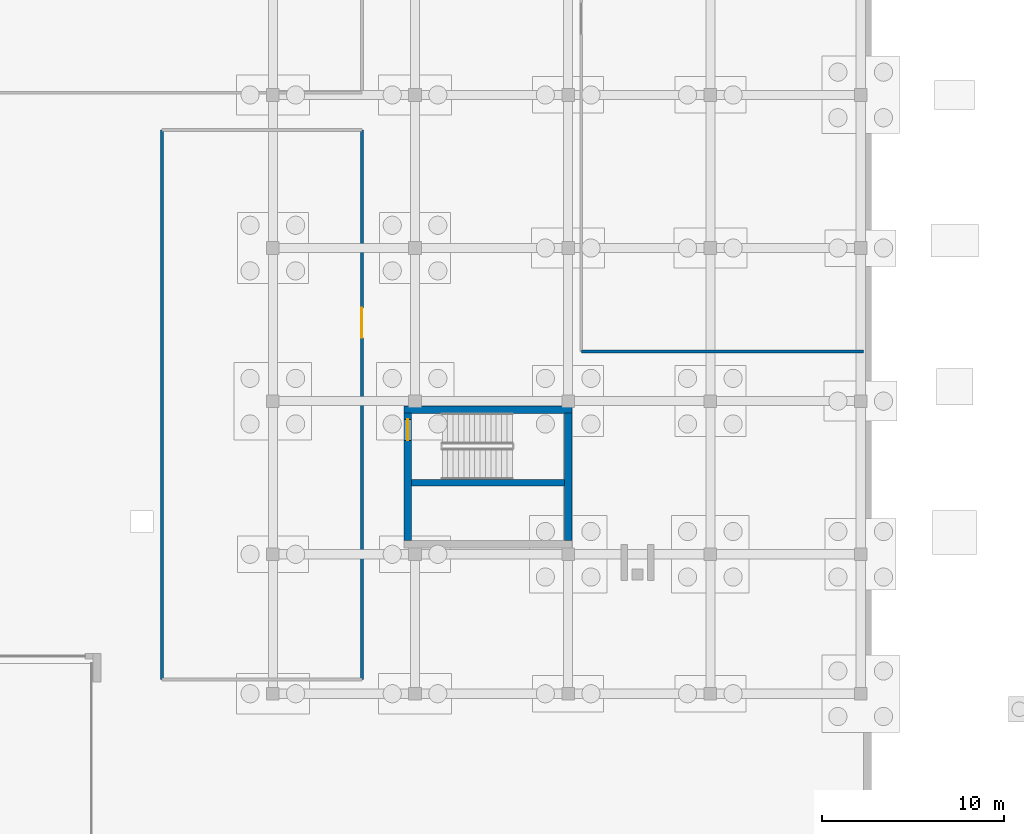
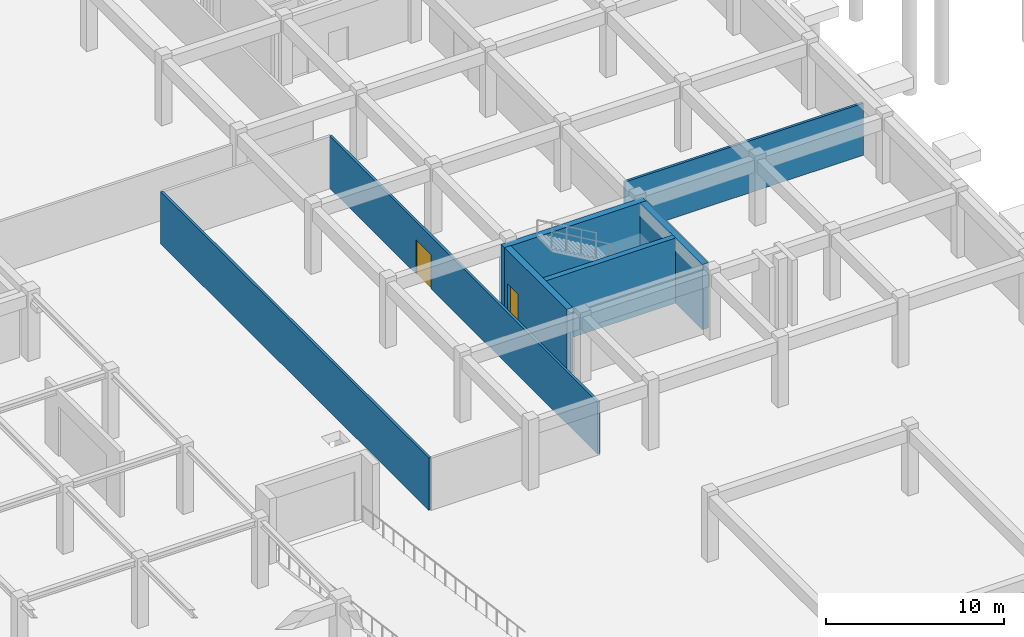
# One storey, part 19 of 35: 7 walls, 2 doors, 2 openings.
"""IFC4 building model written with IfcOpenShell, lengths in metres."""

from ifc_helpers import new_model, si_unit, direction, frame, frame_2d, origin, place, context, subcontext, project, spatial, rectangle, extrude, material, layer, layer_set, type_object, element, fill, save


model = new_model("IFC4")

# Units and contexts
model_context = context("Model", 3, precision=1e-05, world=origin(), true_north=direction((0.0, 1.0)))
body_context = subcontext(model_context, "Body", "Model", "MODEL_VIEW")
ifc_project = project(units=[si_unit("LENGTHUNIT", "METRE"), si_unit("AREAUNIT", "SQUARE_METRE"), si_unit("VOLUMEUNIT", "CUBIC_METRE"), si_unit("PLANEANGLEUNIT", "RADIAN"), si_unit("MASSUNIT", "GRAM", prefix="KILO")], contexts=[model_context])

# Site, building, storey
site_placement = place(None, origin())
site = spatial("IfcSite", under=ifc_project, at=site_placement, CompositionType="ELEMENT")
building_placement = place(site_placement, origin())
building = spatial("IfcBuilding", under=site, at=building_placement, Name="Zayran Congress Hotel", CompositionType="ELEMENT")
storey_placement = place(building_placement, frame((0.0, 0.0, -4.800048828125)))
storey = spatial("IfcBuildingStorey", under=building, at=storey_placement, Name="B1", CompositionType="ELEMENT", Elevation=-4.800048828125)

# Wall
ifc_material_1 = material(Name="Concrete C40/50", Category="concrete")
ifc_layer_1 = layer(ifc_material_1, 0.39990234375)
ifc_layer_set_1 = layer_set([ifc_layer_1], Name="Concrete C40/50")
wall_type_1 = type_object("IfcWallType", Name="WL-SH-400", PredefinedType="SHEAR", material=ifc_layer_set_1)
wall_1_placement = place(storey_placement, frame((126.199951171875, 58.735107421875, 0.0), z_axis=(0.0, 0.0, 1.0), x_axis=(-1.0, 0.0, 0.0)))
element("IfcWall", 1, at=wall_1_placement, inside=storey, type_object=wall_type_1, Name="CWALL-C-V4S-B1-N", PredefinedType="SHEAR", context=body_context, shape_type="SweptSolid", body=[
    extrude(rectangle(XDim=9.199951171875, YDim=0.39990234375, at=frame_2d((4.60009765625, 0.0))), origin(), (0.0, 0.0, 1.0), 4.47998046875),
])

# Wall, opening, door
wall_2_placement = place(storey_placement, frame((117.199951171875, 58.550048828125, 0.0), z_axis=(0.0, 0.0, 1.0), x_axis=(0.0, -1.0, 0.0)))
wall_2 = element("IfcWall", 2, at=wall_2_placement, inside=storey, type_object=wall_type_1, Name="CWALL-C-V4S-B1-W", PredefinedType="SHEAR", context=body_context, shape_type="SweptSolid", body=[
    extrude(rectangle(XDim=7.0, YDim=0.39990234375, at=frame_2d((3.5, 0.0))), origin(), (0.0, 0.0, 1.0), 4.47998046875),
])
opening_1_placement = place(wall_2_placement, frame((0.35009765625, 0.0, 0.0)))
opening_1 = element("IfcOpeningElement", 3, at=opening_1_placement, cuts=wall_2, Name="Opening DR-FD-90", PredefinedType="OPENING", context=body_context, shape_type="SweptSolid", body=[
    extrude(rectangle(XDim=1.14990234375, YDim=2.199951171875, at=frame_2d((0.574951171875, 1.10009765625))), frame((0.0, 0.2099609375, 0.0), z_axis=(0.0, -1.0, 0.0), x_axis=(1.0, 0.0, 0.0)), (0.0, 0.0, 1.0), 0.419921875),
])
ifc_material_2 = material(Name="Painted steel fire door assembly", Category="steel")
door_type_1 = type_object("IfcDoorType", Name="TP-DR-FD-90", OperationType="NOTDEFINED", PredefinedType="DOOR", material=ifc_material_2)
door_1_placement = place(opening_1_placement, origin())
door_1 = element("IfcDoor", 4, at=door_1_placement, inside=storey, type_object=door_type_1, Name="ST-08 Exit Stair Door B1", OperationType="SINGLE_SWING_RIGHT", OverallHeight=2.199951171875, OverallWidth=1.14990234375, PredefinedType="DOOR", context=body_context, shape_type="SweptSolid", body=[
    extrude(rectangle(XDim=1.14990234375, YDim=2.199951171875, at=frame_2d((0.574951171875, 1.10009765625))), frame((0.0, 0.02490234375, 0.0), z_axis=(0.0, -1.0, 0.0), x_axis=(1.0, 0.0, 0.0)), (0.0, 0.0, 1.0), 0.050048828125),
])
fill(opening_1, door_1)

# Walls
wall_3_placement = place(storey_placement, frame((126.0, 51.550048828125, 0.0), z_axis=(0.0, 0.0, 1.0), x_axis=(0.0, 1.0, 0.0)))
element("IfcWall", 5, at=wall_3_placement, inside=storey, type_object=wall_type_1, Name="CWALL-C-V4S-B1-E", PredefinedType="SHEAR", context=body_context, shape_type="SweptSolid", body=[
    extrude(rectangle(XDim=7.0, YDim=0.39990234375, at=frame_2d((3.5, 0.0))), origin(), (0.0, 0.0, 1.0), 4.47998046875),
])
ifc_layer_2 = layer(ifc_material_1, 0.35009765625)
ifc_layer_set_2 = layer_set([ifc_layer_2], Name="Concrete C40/50")
wall_type_2 = type_object("IfcWallType", Name="WL-SH-350", PredefinedType="SHEAR", material=ifc_layer_set_2)
wall_4_placement = place(storey_placement, frame((117.39990234375, 54.735107421875, 0.0), z_axis=(0.0, 0.0, 1.0), x_axis=(1.0, 0.0, 0.0)))
element("IfcWall", 6, at=wall_4_placement, inside=storey, type_object=wall_type_2, Name="CWALL-C-V4S-B1-SPN", PredefinedType="SHEAR", context=body_context, shape_type="SweptSolid", body=[
    extrude(rectangle(XDim=8.400146484375, YDim=0.35009765625, at=frame_2d((4.2001953125, 0.0))), origin(), (0.0, 0.0, 1.0), 4.47998046875),
])

# Wall, opening, door
ifc_material_3 = material(Name="Acoustic twin-stud gypsum partition", Category="gypsum")
ifc_layer_3 = layer(ifc_material_3, 0.159912109375)
ifc_layer_set_3 = layer_set([ifc_layer_3], Name="Acoustic twin-stud gypsum partition")
wall_type_3 = type_object("IfcWallType", Name="WL-PT-160", PredefinedType="PARTITIONING", material=ifc_layer_set_3)
wall_5_placement = place(storey_placement, frame((114.679931640625, 43.919921875, 0.0), z_axis=(0.0, 0.0, 1.0), x_axis=(0.0, 1.0, 0.0)))
wall_5 = element("IfcWall", 7, at=wall_5_placement, inside=storey, type_object=wall_type_3, Name="IW-B1-0380", PredefinedType="PARTITIONING", context=body_context, shape_type="SweptSolid", body=[
    extrude(rectangle(XDim=30.16015625, YDim=0.159912109375, at=frame_2d((15.080078125, 0.0))), origin(), (0.0, 0.0, 1.0), 3.580078125),
])
opening_2_placement = place(wall_5_placement, frame((18.75, 0.0, 0.0)))
opening_2 = element("IfcOpeningElement", 8, at=opening_2_placement, cuts=wall_5, Name="Opening DR-PL-01", PredefinedType="OPENING", context=body_context, shape_type="SweptSolid", body=[
    extrude(rectangle(XDim=1.64990234375, YDim=2.35009765625, at=frame_2d((0.824951171875, 1.175048828125))), frame((0.0, 0.08984375, 0.0), z_axis=(0.0, -1.0, 0.0), x_axis=(1.0, 0.0, 0.0)), (0.0, 0.0, 1.0), 0.179931640625),
])
ifc_material_4 = material(Name="Painted steel plant room double fire door", Category="steel")
door_type_2 = type_object("IfcDoorType", Name="TP-DR-PL-01", OperationType="DOUBLE_DOOR_SINGLE_SWING", PredefinedType="DOOR", material=ifc_material_4)
door_2_placement = place(opening_2_placement, origin())
door_2 = element("IfcDoor", 9, at=door_2_placement, inside=storey, type_object=door_type_2, Name="Electrical Substation and Generator Room B1 Door", OperationType="DOUBLE_DOOR_SINGLE_SWING", OverallHeight=2.35009765625, OverallWidth=1.64990234375, PredefinedType="DOOR", context=body_context, shape_type="SweptSolid", body=[
    extrude(rectangle(XDim=1.64990234375, YDim=2.35009765625, at=frame_2d((0.824951171875, 1.175048828125))), frame((0.0, 0.02490234375, 0.0), z_axis=(0.0, -1.0, 0.0), x_axis=(1.0, 0.0, 0.0)), (0.0, 0.0, 1.0), 0.050048828125),
])
fill(opening_2, door_2)

# Walls
wall_6_placement = place(storey_placement, frame((103.719970703125, 43.919921875, 0.0), z_axis=(0.0, 0.0, 1.0), x_axis=(0.0, 1.0, 0.0)))
element("IfcWall", 10, at=wall_6_placement, inside=storey, type_object=wall_type_3, Name="IW-B1-1637", PredefinedType="PARTITIONING", context=body_context, shape_type="SweptSolid", body=[
    extrude(rectangle(XDim=30.16015625, YDim=0.159912109375, at=frame_2d((15.080078125, 0.0))), origin(), (0.0, 0.0, 1.0), 3.580078125),
])
wall_7_placement = place(storey_placement, frame((126.719970703125, 61.919921875, 0.0), z_axis=(0.0, 0.0, 1.0), x_axis=(1.0, 0.0, 0.0)))
element("IfcWall", 11, at=wall_7_placement, inside=storey, type_object=wall_type_3, Name="IW-B1-1640", PredefinedType="PARTITIONING", context=body_context, shape_type="SweptSolid", body=[
    extrude(rectangle(XDim=15.47998046875, YDim=0.159912109375, at=frame_2d((7.739990234375, 0.0))), origin(), (0.0, 0.0, 1.0), 3.580078125),
])

save(model, "model.ifc")
